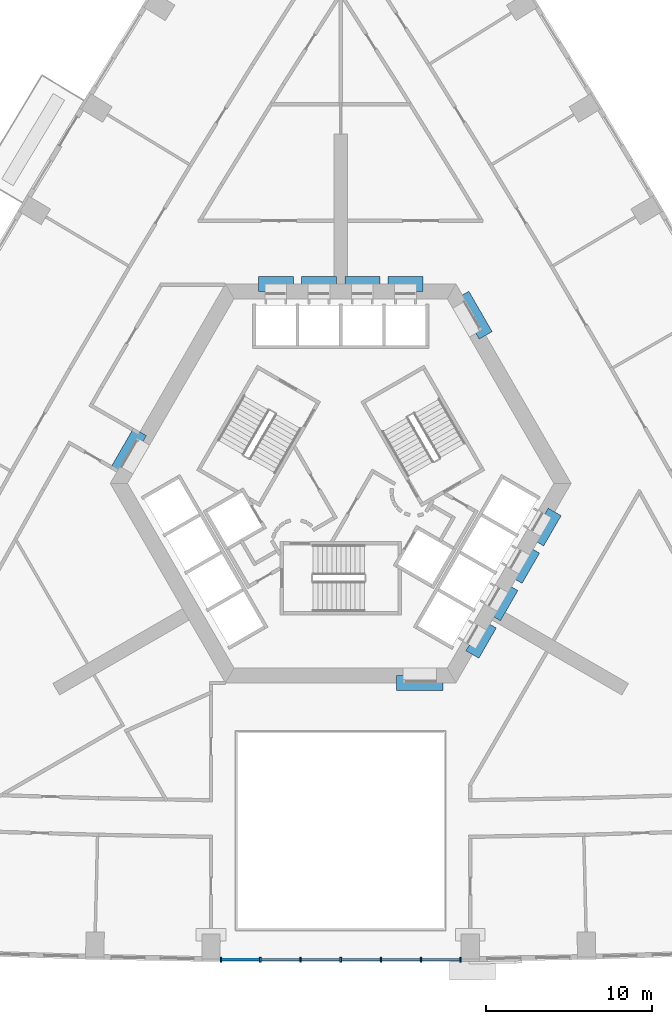
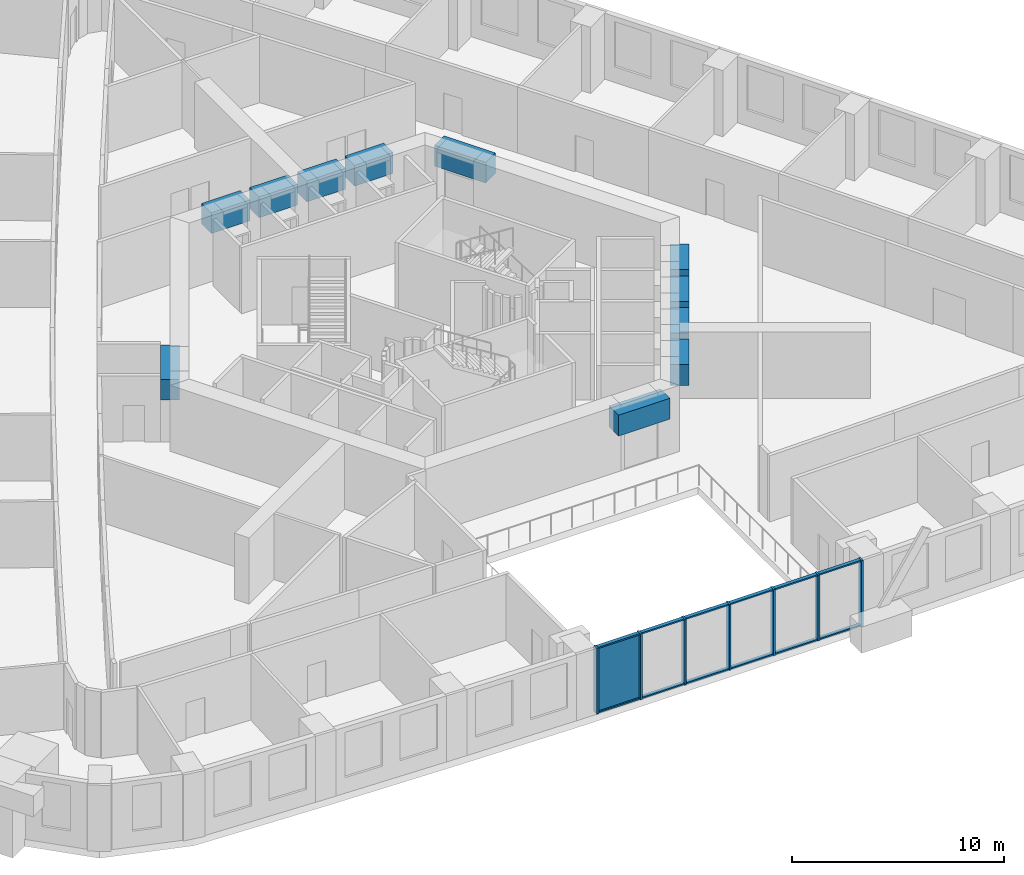
# One storey, part 2 of 16: 19 members, 11 beams, 1 plate, 1 element without a shape of its own.
"""IFC4 building model written with IfcOpenShell, lengths in metres."""

from ifc_helpers import new_model, si_unit, direction, frame, origin, origin_2d, place, context, subcontext, project, spatial, rectangle, extrude, material, layer, layer_set, material_profile, profile_set, type_object, element, aggregate, save


model = new_model("IFC4")

# Units and contexts
model_context = context("Model", 3, precision=1e-05, world=origin(), true_north=direction((0.0, 1.0)))
body_context = subcontext(model_context, "Body", "Model", "MODEL_VIEW")
ifc_project = project(units=[si_unit("LENGTHUNIT", "METRE"), si_unit("AREAUNIT", "SQUARE_METRE"), si_unit("VOLUMEUNIT", "CUBIC_METRE"), si_unit("PLANEANGLEUNIT", "RADIAN"), si_unit("MASSUNIT", "GRAM", prefix="KILO")], contexts=[model_context])

# Site, building, storey
site_placement = place(None, origin())
site = spatial("IfcSite", under=ifc_project, at=site_placement, CompositionType="ELEMENT")
building_placement = place(site_placement, origin())
building = spatial("IfcBuilding", under=site, at=building_placement, Name="Entoto Arch Interchange Tower", CompositionType="ELEMENT")
storey_placement = place(building_placement, frame((0.0, 0.0, 95.0)))
storey = spatial("IfcBuildingStorey", under=building, at=storey_placement, Name="L20", CompositionType="ELEMENT", Elevation=95.0)

# Beams
ifc_material_1 = material(Name="Concrete C60/75", Category="concrete")
ifc_material_profile_1 = material_profile(ifc_material_1, rectangle(XDim=0.89990234375, YDim=1.199951171875, at=origin_2d()))
ifc_profile_set_1 = profile_set([ifc_material_profile_1], Name="Concrete C60/75")
beam_type = type_object("IfcBeamType", Name="Coupling beam RC 900x1200 C60/75", PredefinedType="BEAM", material=ifc_profile_set_1)
beam_1_placement = place(storey_placement, frame((8.717041015625, 11.402099609375, 3.0), z_axis=(-0.500200581029, 0.865909567298, 0.0), x_axis=(-0.865909567298, -0.500200581029, 0.0)))
element("IfcBeam", 1, at=beam_1_placement, inside=storey, type_object=beam_type, Name="Coupling beam NE L20", PredefinedType="BEAM", context=body_context, shape_type="SweptSolid", body=[
    extrude(rectangle(XDim=0.89990234375, YDim=1.199951171875, at=origin_2d()), origin(), (0.0, 0.0, 1.0), 2.799072265625),
])
beam_2_placement = place(storey_placement, frame((4.949951171875, 14.5, 3.0), z_axis=(-1.0, 0.0, 0.0), x_axis=(0.0, -1.0, 0.0)))
element("IfcBeam", 2, at=beam_2_placement, inside=storey, type_object=beam_type, Name="Coupling beam N L20", PredefinedType="BEAM", context=body_context, shape_type="SweptSolid", body=[
    extrude(rectangle(XDim=0.89990234375, YDim=1.199951171875, at=origin_2d()), origin(), (0.0, 0.0, 1.0), 2.099853515625),
])
for number, where, z_axis, x_axis, name in (
    (3, (2.35009765625, 14.5, 3.0), (-1.0, 0.0, 0.0), (0.0, -1.0, 0.0), "Coupling beam N L20"),
    (4, (-0.25, 14.5, 3.0), (-1.0, 0.0, 0.0), (0.0, -1.0, 0.0), "Coupling beam N L20"),
):
    element("IfcBeam", number, at=place(storey_placement, frame(where, z_axis=z_axis, x_axis=x_axis)), inside=storey, type_object=beam_type, Name=name, PredefinedType="BEAM", context=body_context, shape_type="SweptSolid", body=[
        extrude(rectangle(XDim=0.89990234375, YDim=1.199951171875, at=origin_2d()), origin(), (0.0, 0.0, 1.0), 2.10009765625),
    ])
beam_3_placement = place(storey_placement, frame((-2.85009765625, 14.5, 3.0), z_axis=(-1.0, 0.0, 0.0), x_axis=(0.0, -1.0, 0.0)))
element("IfcBeam", 5, at=beam_3_placement, inside=storey, type_object=beam_type, Name="Coupling beam N L20", PredefinedType="BEAM", context=body_context, shape_type="SweptSolid", body=[
    extrude(rectangle(XDim=0.89990234375, YDim=1.199951171875, at=origin_2d()), origin(), (0.0, 0.0, 1.0), 2.099853515625),
])
beam_4_placement = place(storey_placement, frame((-12.06689453125, 5.597900390625, 3.0), z_axis=(-0.500200581029, -0.865909567298, 0.0), x_axis=(0.865909567298, -0.500200581029, 0.0)))
element("IfcBeam", 6, at=beam_4_placement, inside=storey, type_object=beam_type, Name="Coupling beam NW L20", PredefinedType="BEAM", context=body_context, shape_type="SweptSolid", body=[
    extrude(rectangle(XDim=0.89990234375, YDim=1.199951171875, at=origin_2d()), origin(), (0.0, 0.0, 1.0), 2.799072265625),
])
beam_5_placement = place(storey_placement, frame((3.35009765625, -9.5, 3.0), z_axis=(1.0, 0.0, 0.0), x_axis=(0.0, 1.0, 0.0)))
element("IfcBeam", 7, at=beam_5_placement, inside=storey, type_object=beam_type, Name="Coupling beam S L20", PredefinedType="BEAM", context=body_context, shape_type="SweptSolid", body=[
    extrude(rectangle(XDim=0.89990234375, YDim=1.199951171875, at=origin_2d()), origin(), (0.0, 0.0, 1.0), 2.7998046875),
])
for number, where, z_axis, x_axis, name in (
    (8, (7.9169921875, -7.785888671875, 3.0), (0.500178781653, 0.865922159541, 0.0), (-0.865922159541, 0.500178781653, 0.0), "Coupling beam SE L20"),
    (9, (9.217041015625, -5.534912109375, 3.0), (0.500178781653, 0.865922159541, 0.0), (-0.865922159541, 0.500178781653, 0.0), "Coupling beam SE L20"),
):
    element("IfcBeam", number, at=place(storey_placement, frame(where, z_axis=z_axis, x_axis=x_axis)), inside=storey, type_object=beam_type, Name=name, PredefinedType="BEAM", context=body_context, shape_type="SweptSolid", body=[
        extrude(rectangle(XDim=0.89990234375, YDim=1.199951171875, at=origin_2d()), origin(), (0.0, 0.0, 1.0), 2.099365234375),
    ])
beam_6_placement = place(storey_placement, frame((10.51708984375, -3.282958984375, 3.0), z_axis=(0.500091574638, 0.865972526687, 0.0), x_axis=(-0.865972526687, 0.500091574638, 0.0)))
element("IfcBeam", 10, at=beam_6_placement, inside=storey, type_object=beam_type, Name="Coupling beam SE L20", PredefinedType="BEAM", context=body_context, shape_type="SweptSolid", body=[
    extrude(rectangle(XDim=0.89990234375, YDim=1.199951171875, at=origin_2d()), origin(), (0.0, 0.0, 1.0), 2.09912109375),
])
beam_7_placement = place(storey_placement, frame((11.81689453125, -1.031982421875, 3.0), z_axis=(0.500178781653, 0.865922159541, 0.0), x_axis=(-0.865922159541, 0.500178781653, 0.0)))
element("IfcBeam", 11, at=beam_7_placement, inside=storey, type_object=beam_type, Name="Coupling beam SE L20", PredefinedType="BEAM", context=body_context, shape_type="SweptSolid", body=[
    extrude(rectangle(XDim=0.89990234375, YDim=1.199951171875, at=origin_2d()), origin(), (0.0, 0.0, 1.0), 2.099365234375),
])

# Curtain wall, members, plate
ifc_material_2 = material(Name="Aluminium, anodised", Category="aluminium")
curtain_wall_type = type_object("IfcCurtainWallType", Name="CURTAIN WALL ATRIUM", PredefinedType="NOTDEFINED", material=ifc_material_2)
curtain_wall_placement = place(storey_placement, origin())
curtain_wall = element("IfcCurtainWall", 12, at=curtain_wall_placement, inside=storey, type_object=curtain_wall_type, Name="Atrium glazing S-04 L20", PredefinedType="NOTDEFINED")
ifc_material_profile_2 = material_profile(ifc_material_2, rectangle(XDim=0.300048828125, YDim=0.10009765625, at=origin_2d()))
ifc_profile_set_2 = profile_set([ifc_material_profile_2], Name="Aluminium, anodised")
member_type_1 = type_object("IfcMemberType", Name="MULLION ATRIUM 100x300", PredefinedType="MULLION", material=ifc_profile_set_2)
member_1_placement = place(storey_placement, frame((-7.199951171875, -26.1259765625, 0.0), z_axis=(0.0, 0.0, 1.0), x_axis=(0.0, 1.0, 0.0)))
member_1 = element("IfcMember", 13, at=member_1_placement, type_object=member_type_1, Name="CWA mullion 1", PredefinedType="MULLION", context=body_context, shape_type="SweptSolid", body=[
    extrude(rectangle(XDim=0.300048828125, YDim=0.10009765625, at=origin_2d()), origin(), (0.0, 0.0, 1.0), 3.800048828125),
])
member_2_placement = place(storey_placement, frame((-4.833251953125, -26.1259765625, 0.0), z_axis=(0.0, 0.0, 1.0), x_axis=(0.0, 1.0, 0.0)))
member_2 = element("IfcMember", 14, at=member_2_placement, type_object=member_type_1, Name="CWA mullion 2", PredefinedType="MULLION", context=body_context, shape_type="SweptSolid", body=[
    extrude(rectangle(XDim=0.300048828125, YDim=0.10009765625, at=origin_2d()), origin(), (0.0, 0.0, 1.0), 3.800048828125),
])
member_3_placement = place(storey_placement, frame((-2.416748046875, -26.1259765625, 0.0), z_axis=(0.0, 0.0, 1.0), x_axis=(0.0, 1.0, 0.0)))
member_3 = element("IfcMember", 15, at=member_3_placement, type_object=member_type_1, Name="CWA mullion 3", PredefinedType="MULLION", context=body_context, shape_type="SweptSolid", body=[
    extrude(rectangle(XDim=0.300048828125, YDim=0.10009765625, at=origin_2d()), origin(), (0.0, 0.0, 1.0), 3.800048828125),
])
member_4_placement = place(storey_placement, frame((0.0, -26.1259765625, 0.0), z_axis=(0.0, 0.0, 1.0), x_axis=(0.0, 1.0, 0.0)))
member_4 = element("IfcMember", 16, at=member_4_placement, type_object=member_type_1, Name="CWA mullion 4", PredefinedType="MULLION", context=body_context, shape_type="SweptSolid", body=[
    extrude(rectangle(XDim=0.300048828125, YDim=0.10009765625, at=origin_2d()), origin(), (0.0, 0.0, 1.0), 3.800048828125),
])
member_5_placement = place(storey_placement, frame((2.416748046875, -26.1259765625, 0.0), z_axis=(0.0, 0.0, 1.0), x_axis=(0.0, 1.0, 0.0)))
member_5 = element("IfcMember", 17, at=member_5_placement, type_object=member_type_1, Name="CWA mullion 5", PredefinedType="MULLION", context=body_context, shape_type="SweptSolid", body=[
    extrude(rectangle(XDim=0.300048828125, YDim=0.10009765625, at=origin_2d()), origin(), (0.0, 0.0, 1.0), 3.800048828125),
])
member_6_placement = place(storey_placement, frame((4.833251953125, -26.1259765625, 0.0), z_axis=(0.0, 0.0, 1.0), x_axis=(0.0, 1.0, 0.0)))
member_6 = element("IfcMember", 18, at=member_6_placement, type_object=member_type_1, Name="CWA mullion 6", PredefinedType="MULLION", context=body_context, shape_type="SweptSolid", body=[
    extrude(rectangle(XDim=0.300048828125, YDim=0.10009765625, at=origin_2d()), origin(), (0.0, 0.0, 1.0), 3.800048828125),
])
member_7_placement = place(storey_placement, frame((7.199951171875, -26.1259765625, 0.0), z_axis=(0.0, 0.0, 1.0), x_axis=(0.0, 1.0, 0.0)))
member_7 = element("IfcMember", 19, at=member_7_placement, type_object=member_type_1, Name="CWA mullion 7", PredefinedType="MULLION", context=body_context, shape_type="SweptSolid", body=[
    extrude(rectangle(XDim=0.300048828125, YDim=0.10009765625, at=origin_2d()), origin(), (0.0, 0.0, 1.0), 3.800048828125),
])
ifc_material_profile_3 = material_profile(ifc_material_2, rectangle(XDim=0.199951171875, YDim=0.080078125, at=origin_2d()))
ifc_profile_set_3 = profile_set([ifc_material_profile_3], Name="Aluminium, anodised")
member_type_2 = type_object("IfcMemberType", Name="TRANSOM ATRIUM 80x200", PredefinedType="USERDEFINED", material=ifc_profile_set_3)
member_8_placement = place(storey_placement, frame((-7.14990234375, -26.1259765625, 0.0400390625), z_axis=(1.0, 0.0, 0.0), x_axis=(0.0, 1.0, 0.0)))
member_8 = element("IfcMember", 20, at=member_8_placement, type_object=member_type_2, Name="CWA transom 1.1", ObjectType="TRANSOM", PredefinedType="USERDEFINED", context=body_context, shape_type="SweptSolid", body=[
    extrude(rectangle(XDim=0.199951171875, YDim=0.080078125, at=origin_2d()), origin(), (0.0, 0.0, 1.0), 2.2666015625),
])
member_9_placement = place(storey_placement, frame((-7.14990234375, -26.1259765625, 3.760009765625), z_axis=(1.0, 0.0, 0.0), x_axis=(0.0, 1.0, 0.0)))
member_9 = element("IfcMember", 21, at=member_9_placement, type_object=member_type_2, Name="CWA transom 1.2", ObjectType="TRANSOM", PredefinedType="USERDEFINED", context=body_context, shape_type="SweptSolid", body=[
    extrude(rectangle(XDim=0.199951171875, YDim=0.080078125, at=origin_2d()), origin(), (0.0, 0.0, 1.0), 2.2666015625),
])
member_10_placement = place(storey_placement, frame((-4.783447265625, -26.1259765625, 0.0400390625), z_axis=(1.0, 0.0, 0.0), x_axis=(0.0, 1.0, 0.0)))
member_10 = element("IfcMember", 22, at=member_10_placement, type_object=member_type_2, Name="CWA transom 2.1", ObjectType="TRANSOM", PredefinedType="USERDEFINED", context=body_context, shape_type="SweptSolid", body=[
    extrude(rectangle(XDim=0.199951171875, YDim=0.080078125, at=origin_2d()), origin(), (0.0, 0.0, 1.0), 2.31689453125),
])
member_11_placement = place(storey_placement, frame((-4.783447265625, -26.1259765625, 3.760009765625), z_axis=(1.0, 0.0, 0.0), x_axis=(0.0, 1.0, 0.0)))
member_11 = element("IfcMember", 23, at=member_11_placement, type_object=member_type_2, Name="CWA transom 2.2", ObjectType="TRANSOM", PredefinedType="USERDEFINED", context=body_context, shape_type="SweptSolid", body=[
    extrude(rectangle(XDim=0.199951171875, YDim=0.080078125, at=origin_2d()), origin(), (0.0, 0.0, 1.0), 2.31689453125),
])
member_12_placement = place(storey_placement, frame((-2.36669921875, -26.1259765625, 0.0400390625), z_axis=(1.0, 0.0, 0.0), x_axis=(0.0, 1.0, 0.0)))
member_12 = element("IfcMember", 24, at=member_12_placement, type_object=member_type_2, Name="CWA transom 3.1", ObjectType="TRANSOM", PredefinedType="USERDEFINED", context=body_context, shape_type="SweptSolid", body=[
    extrude(rectangle(XDim=0.199951171875, YDim=0.080078125, at=origin_2d()), origin(), (0.0, 0.0, 1.0), 2.316650390625),
])
member_13_placement = place(storey_placement, frame((-2.36669921875, -26.1259765625, 3.760009765625), z_axis=(1.0, 0.0, 0.0), x_axis=(0.0, 1.0, 0.0)))
member_13 = element("IfcMember", 25, at=member_13_placement, type_object=member_type_2, Name="CWA transom 3.2", ObjectType="TRANSOM", PredefinedType="USERDEFINED", context=body_context, shape_type="SweptSolid", body=[
    extrude(rectangle(XDim=0.199951171875, YDim=0.080078125, at=origin_2d()), origin(), (0.0, 0.0, 1.0), 2.316650390625),
])
member_14_placement = place(storey_placement, frame((0.050048828125, -26.1259765625, 0.0400390625), z_axis=(1.0, 0.0, 0.0), x_axis=(0.0, 1.0, 0.0)))
member_14 = element("IfcMember", 26, at=member_14_placement, type_object=member_type_2, Name="CWA transom 4.1", ObjectType="TRANSOM", PredefinedType="USERDEFINED", context=body_context, shape_type="SweptSolid", body=[
    extrude(rectangle(XDim=0.199951171875, YDim=0.080078125, at=origin_2d()), origin(), (0.0, 0.0, 1.0), 2.316650390625),
])
member_15_placement = place(storey_placement, frame((0.050048828125, -26.1259765625, 3.760009765625), z_axis=(1.0, 0.0, 0.0), x_axis=(0.0, 1.0, 0.0)))
member_15 = element("IfcMember", 27, at=member_15_placement, type_object=member_type_2, Name="CWA transom 4.2", ObjectType="TRANSOM", PredefinedType="USERDEFINED", context=body_context, shape_type="SweptSolid", body=[
    extrude(rectangle(XDim=0.199951171875, YDim=0.080078125, at=origin_2d()), origin(), (0.0, 0.0, 1.0), 2.316650390625),
])
member_16_placement = place(storey_placement, frame((2.466552734375, -26.1259765625, 0.0400390625), z_axis=(1.0, 0.0, 0.0), x_axis=(0.0, 1.0, 0.0)))
member_16 = element("IfcMember", 28, at=member_16_placement, type_object=member_type_2, Name="CWA transom 5.1", ObjectType="TRANSOM", PredefinedType="USERDEFINED", context=body_context, shape_type="SweptSolid", body=[
    extrude(rectangle(XDim=0.199951171875, YDim=0.080078125, at=origin_2d()), origin(), (0.0, 0.0, 1.0), 2.31689453125),
])
member_17_placement = place(storey_placement, frame((2.466552734375, -26.1259765625, 3.760009765625), z_axis=(1.0, 0.0, 0.0), x_axis=(0.0, 1.0, 0.0)))
member_17 = element("IfcMember", 29, at=member_17_placement, type_object=member_type_2, Name="CWA transom 5.2", ObjectType="TRANSOM", PredefinedType="USERDEFINED", context=body_context, shape_type="SweptSolid", body=[
    extrude(rectangle(XDim=0.199951171875, YDim=0.080078125, at=origin_2d()), origin(), (0.0, 0.0, 1.0), 2.31689453125),
])
member_18_placement = place(storey_placement, frame((4.88330078125, -26.1259765625, 0.0400390625), z_axis=(1.0, 0.0, 0.0), x_axis=(0.0, 1.0, 0.0)))
member_18 = element("IfcMember", 30, at=member_18_placement, type_object=member_type_2, Name="CWA transom 6.1", ObjectType="TRANSOM", PredefinedType="USERDEFINED", context=body_context, shape_type="SweptSolid", body=[
    extrude(rectangle(XDim=0.199951171875, YDim=0.080078125, at=origin_2d()), origin(), (0.0, 0.0, 1.0), 2.2666015625),
])
member_19_placement = place(storey_placement, frame((4.88330078125, -26.1259765625, 3.760009765625), z_axis=(1.0, 0.0, 0.0), x_axis=(0.0, 1.0, 0.0)))
member_19 = element("IfcMember", 31, at=member_19_placement, type_object=member_type_2, Name="CWA transom 6.2", ObjectType="TRANSOM", PredefinedType="USERDEFINED", context=body_context, shape_type="SweptSolid", body=[
    extrude(rectangle(XDim=0.199951171875, YDim=0.080078125, at=origin_2d()), origin(), (0.0, 0.0, 1.0), 2.2666015625),
])
ifc_material_3 = material(Name="Clear glass, low-e double glazed", Category="glass")
ifc_layer = layer(ifc_material_3, 0.031982421875)
ifc_layer_set = layer_set([ifc_layer], Name="Clear glass, low-e double glazed")
plate_type = type_object("IfcPlateType", Name="GLAZING PANEL ATRIUM 32", PredefinedType="CURTAIN_PANEL", material=ifc_layer_set)
plate_placement = place(storey_placement, frame((-6.0166015625, -26.1259765625, 0.080078125), z_axis=(0.0, 0.0, 1.0), x_axis=(1.0, 0.0, 0.0)))
plate = element("IfcPlate", 32, at=plate_placement, type_object=plate_type, Name="CWA panel 1.1", PredefinedType="CURTAIN_PANEL", context=body_context, shape_type="SweptSolid", body=[
    extrude(rectangle(XDim=2.2666015625, YDim=0.031982421875, at=origin_2d()), origin(), (0.0, 0.0, 1.0), 3.639892578125),
])
aggregate(curtain_wall, [member_1, member_2, member_3, member_4, member_5, member_6, member_7, member_8, member_9, plate, member_10, member_11, member_12, member_13, member_14, member_15, member_16, member_17, member_18, member_19])

save(model, "model.ifc")
